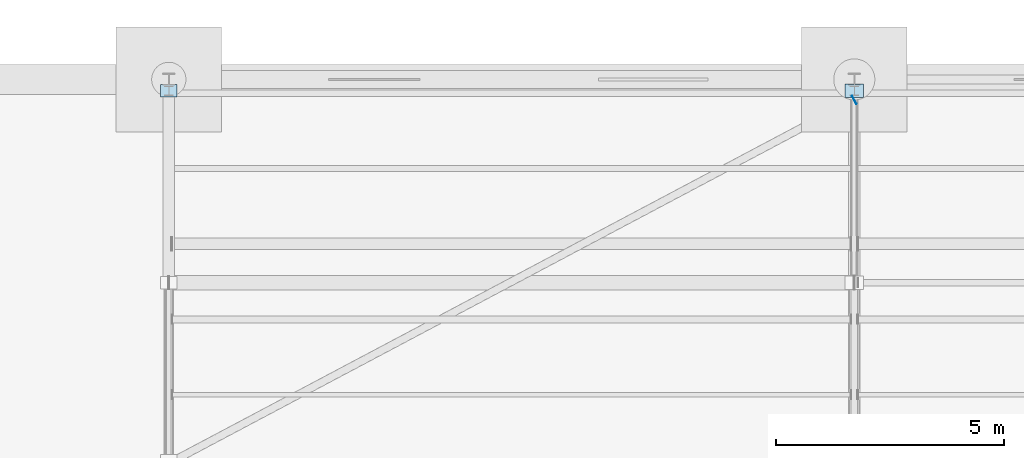
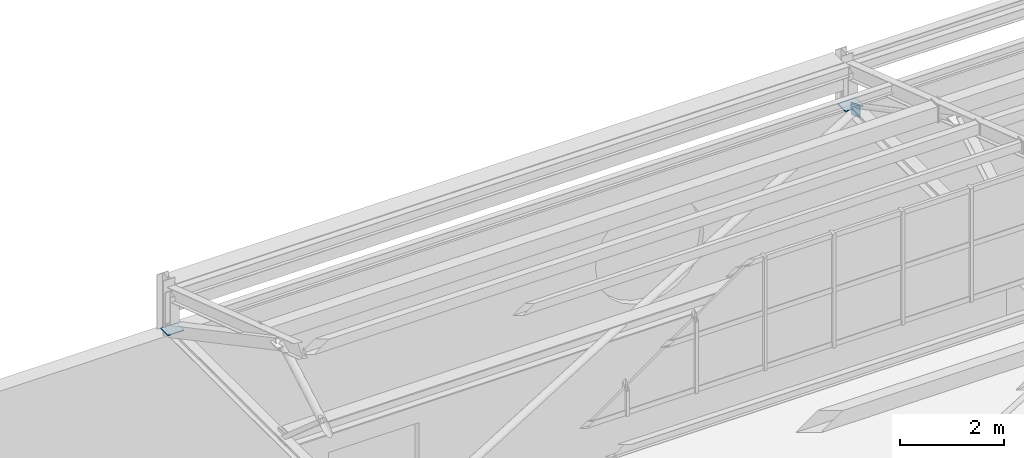
# One storey, part 238 of 285: 3 plates.
"""IFC4 building model written with IfcOpenShell, lengths in metres."""

from ifc_helpers import new_model, si_unit, direction, frame, origin, origin_2d, place, context, subcontext, project, spatial, rectangle, extrude, material, layer, layer_set, type_object, element, save


model = new_model("IFC4")

# Units and contexts
model_context = context("Model", 3, precision=1e-05, world=origin(), true_north=direction((0.0, 1.0)))
body_context = subcontext(model_context, "Body", "Model", "MODEL_VIEW")
ifc_project = project(units=[si_unit("LENGTHUNIT", "METRE"), si_unit("AREAUNIT", "SQUARE_METRE"), si_unit("VOLUMEUNIT", "CUBIC_METRE"), si_unit("PLANEANGLEUNIT", "RADIAN"), si_unit("MASSUNIT", "GRAM", prefix="KILO")], contexts=[model_context])

# Site, building, storey
site_placement = place(None, origin())
site = spatial("IfcSite", under=ifc_project, at=site_placement, CompositionType="ELEMENT")
building_placement = place(site_placement, origin())
building = spatial("IfcBuilding", under=site, at=building_placement, Name="Solanera Park Tramway Depot", CompositionType="ELEMENT")
storey_placement = place(building_placement, origin())
storey = spatial("IfcBuildingStorey", under=building, at=storey_placement, Name="L00", CompositionType="ELEMENT", Elevation=0.0)

# Plates
ifc_material_1 = material(Name="Steel AS/NZS 3679.1 Grade 350", Category="steel")
ifc_layer_1 = layer(ifc_material_1, 0.013916015625)
ifc_layer_set_1 = layer_set([ifc_layer_1], Name="Steel AS/NZS 3679.1 Grade 350")
plate_type_1 = type_object("IfcPlateType", Name="Hollow End Cap and Base Plate 280x200x14", PredefinedType="USERDEFINED", material=ifc_layer_set_1)
plate_1_placement = place(storey_placement, frame((30.000732421875, 143.551513671875, 6.35986328125), z_axis=(0.0, 0.0, 1.0), x_axis=(0.883520501477, 0.468392488698, 0.0)))
element("IfcPlate", 1, at=plate_1_placement, inside=storey, type_object=plate_type_1, Name="Hollow Section Welded End Cap Plate #1091", ObjectType="BASE PLATE", PredefinedType="USERDEFINED", context=body_context, shape_type="SweptSolid", body=[
    extrude(rectangle(XDim=0.013916015625, YDim=0.199951171875, at=origin_2d()), origin(), (0.0, 0.0, 1.0), 0.280029296875),
])
ifc_material_2 = material(Name="Steel AS/NZS 3679.1 Grade 350", Category="steel")
ifc_layer_2 = layer(ifc_material_2, 0.01806640625)
ifc_layer_set_2 = layer_set([ifc_layer_2], Name="Steel AS/NZS 3679.1 Grade 350")
plate_type_2 = type_object("IfcPlateType", Name="Hollow End Cap and Base Plate 360x280x18", PredefinedType="USERDEFINED", material=ifc_layer_set_2)
plate_2_placement = place(storey_placement, frame((15.0, 143.75, 6.490966796875), z_axis=(0.0, 0.0, 1.0), x_axis=(1.0, 0.0, 0.0)))
element("IfcPlate", 2, at=plate_2_placement, inside=storey, type_object=plate_type_2, Name="Sawtooth Truss Node Cap Plate #1004", ObjectType="BASE PLATE", PredefinedType="USERDEFINED", context=body_context, shape_type="SweptSolid", body=[
    extrude(rectangle(XDim=0.360107421875, YDim=0.280029296875, at=origin_2d()), origin(), (0.0, 0.0, 1.0), 0.01806640625),
])
ifc_material_3 = material(Name="Steel AS/NZS 3679.1 Grade 350", Category="steel")
ifc_layer_3 = layer(ifc_material_3, 0.02001953125)
ifc_layer_set_3 = layer_set([ifc_layer_3], Name="Steel AS/NZS 3679.1 Grade 350")
plate_type_3 = type_object("IfcPlateType", Name="Hollow End Cap and Base Plate 400x300x20", PredefinedType="USERDEFINED", material=ifc_layer_set_3)
plate_3_placement = place(storey_placement, frame((30.0, 143.75, 6.489990234375), z_axis=(0.0, 0.0, 1.0), x_axis=(1.0, 0.0, 0.0)))
element("IfcPlate", 3, at=plate_3_placement, inside=storey, type_object=plate_type_3, Name="Sawtooth Truss Node Cap Plate #1009", ObjectType="BASE PLATE", PredefinedType="USERDEFINED", context=body_context, shape_type="SweptSolid", body=[
    extrude(rectangle(XDim=0.39990234375, YDim=0.300048828125, at=origin_2d()), origin(), (0.0, 0.0, 1.0), 0.02001953125),
])

save(model, "model.ifc")
